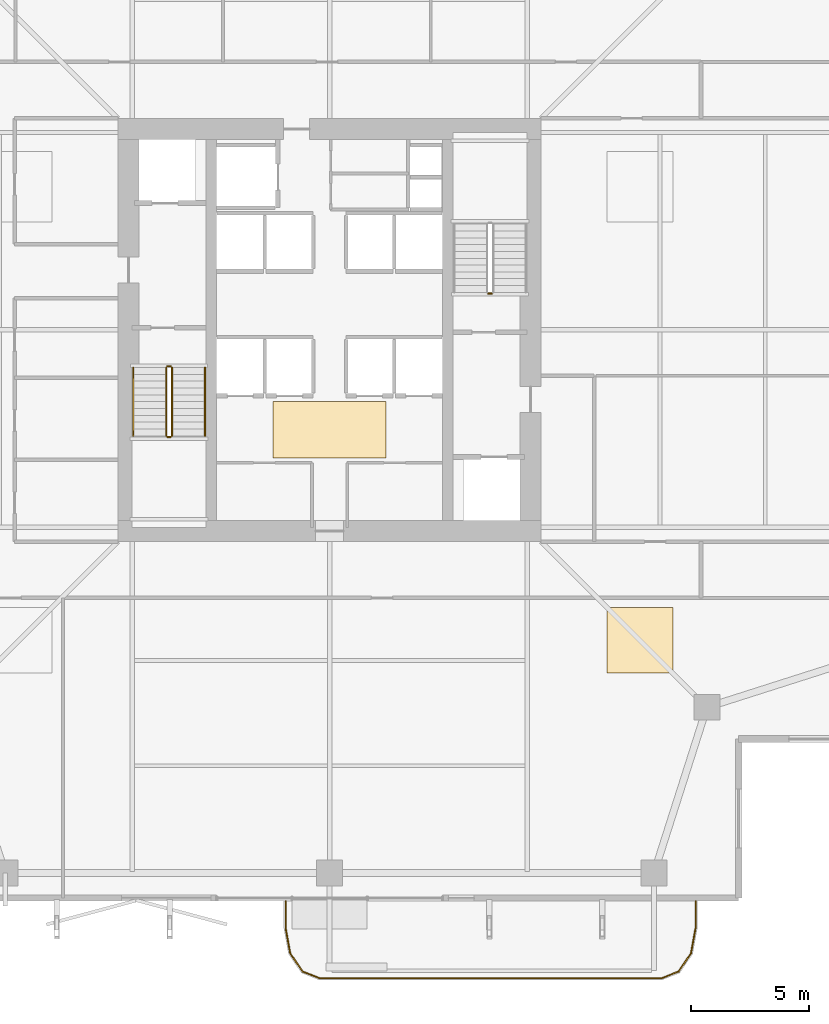
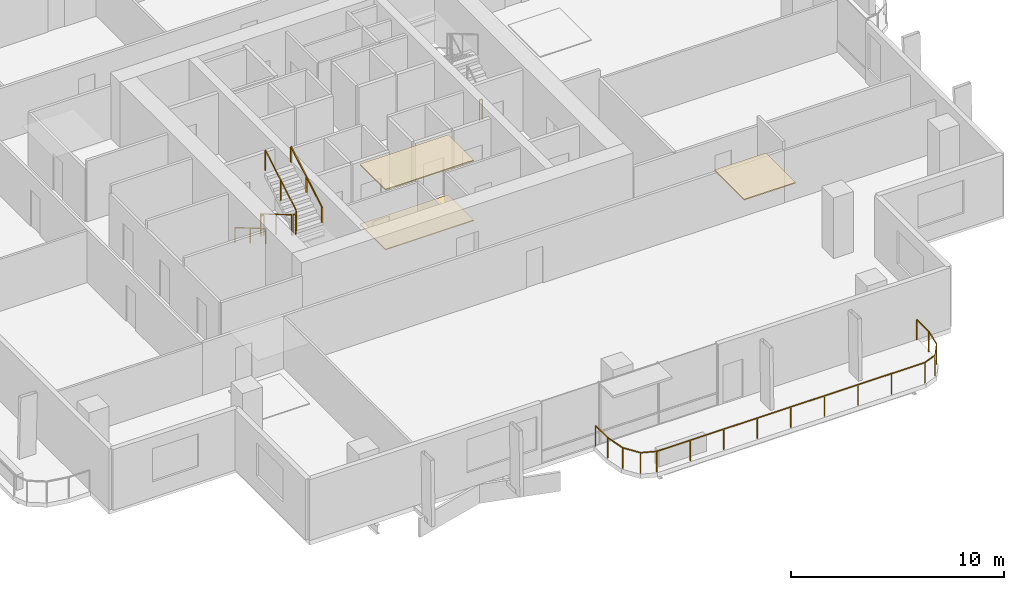
# One storey, part 23 of 25: 8 railings, 3 coverings.
"""IFC4 building model written with IfcOpenShell, lengths in metres."""

from ifc_helpers import new_model, si_unit, direction, frame, origin, origin_2d, place, context, subcontext, project, spatial, polyline, rectangle, outline, extrude, material, layer, layer_set, type_object, element, save


model = new_model("IFC4")

# Units and contexts
model_context = context("Model", 3, precision=1e-05, world=origin(), true_north=direction((0.0, 1.0)))
body_context = subcontext(model_context, "Body", "Model", "MODEL_VIEW")
ifc_project = project(units=[si_unit("LENGTHUNIT", "METRE"), si_unit("AREAUNIT", "SQUARE_METRE"), si_unit("VOLUMEUNIT", "CUBIC_METRE"), si_unit("PLANEANGLEUNIT", "RADIAN"), si_unit("MASSUNIT", "GRAM", prefix="KILO")], contexts=[model_context])

# Site, building, storey
site_placement = place(None, origin())
site = spatial("IfcSite", under=ifc_project, at=site_placement, CompositionType="ELEMENT")
building_placement = place(site_placement, origin())
building = spatial("IfcBuilding", under=site, at=building_placement, Name="Belovzor Exchange Tower", CompositionType="ELEMENT")
storey_placement = place(building_placement, frame((0.0, 0.0, 164.550048828125)))
storey = spatial("IfcBuildingStorey", under=building, at=storey_placement, Name="L40", CompositionType="ELEMENT", Elevation=164.550048828125)

# Railings
ifc_material_1 = material(Name="Stainless Steel Grade 304", Category="steel")
railing_type_1 = type_object("IfcRailingType", Name="Brushed Stainless Steel Stair Handrail 900", PredefinedType="HANDRAIL", material=ifc_material_1)
railing_1_placement = place(storey_placement, frame((20.449951171875, 27.199951171875, 0.17041015625)))
element("IfcRailing", 1, at=railing_1_placement, inside=storey, type_object=railing_type_1, Name="L40 ST-1 stair handrail 1", PredefinedType="HANDRAIL", context=body_context, shape_type="SweptSolid", body=[
    extrude(rectangle(XDim=0.048095703125, YDim=0.048095703125, at=origin_2d()), frame((0.0, 0.0, 0.8759765625), z_axis=(0.0, -0.86209462966, 0.506747323142), x_axis=(1.0, 0.0, 0.0)), (0.0, 0.0, 1.0), 3.36376953125),
    extrude(rectangle(XDim=0.0419921875, YDim=0.0419921875, at=origin_2d()), origin(), (0.0, 0.0, 1.0), 0.851806640625),
    extrude(rectangle(XDim=0.0419921875, YDim=0.0419921875, at=origin_2d()), frame((0.0, -1.449951171875, 0.852294921875)), (0.0, 0.0, 1.0), 0.851806640625),
    extrude(rectangle(XDim=0.0419921875, YDim=0.0419921875, at=origin_2d()), frame((0.0, -2.89990234375, 1.70458984375)), (0.0, 0.0, 1.0), 0.851806640625),
])
railing_2_placement = place(storey_placement, frame((23.5, 24.300048828125, 2.04541015625)))
element("IfcRailing", 2, at=railing_2_placement, inside=storey, type_object=railing_type_1, Name="L40 ST-1 stair handrail 2", PredefinedType="HANDRAIL", context=body_context, shape_type="SweptSolid", body=[
    extrude(rectangle(XDim=0.048095703125, YDim=0.048095703125, at=origin_2d()), frame((0.0, 0.0, 0.8759765625), z_axis=(0.0, 0.86209462966, 0.506747323142), x_axis=(-1.0, 0.0, 0.0)), (0.0, 0.0, 1.0), 3.36376953125),
    extrude(rectangle(XDim=0.0419921875, YDim=0.0419921875, at=origin_2d()), origin(), (0.0, 0.0, 1.0), 0.851806640625),
    extrude(rectangle(XDim=0.0419921875, YDim=0.0419921875, at=origin_2d()), frame((0.0, 1.449951171875, 0.852294921875)), (0.0, 0.0, 1.0), 0.851806640625),
    extrude(rectangle(XDim=0.0419921875, YDim=0.0419921875, at=origin_2d()), frame((0.0, 2.89990234375, 1.70458984375)), (0.0, 0.0, 1.0), 0.851806640625),
])
ifc_material_2 = material(Name="Stainless Steel and Laminated Safety Glass", Category="steel")
railing_type_2 = type_object("IfcRailingType", Name="Laminated Glass & Stainless Steel Balcony Balustrade 1200", PredefinedType="BALUSTRADE", material=ifc_material_2)
railing_3_placement = place(storey_placement, frame((26.929931640625, 4.489990234375, 0.0)))
element("IfcRailing", 3, at=railing_3_placement, inside=storey, type_object=railing_type_2, Name="GR-1 Balcony Balustrade L40 South", PredefinedType="BALUSTRADE", context=body_context, shape_type="SweptSolid", body=[
    extrude(rectangle(XDim=0.048095703125, YDim=0.048095703125, at=origin_2d()), frame((0.0, 0.0, 1.17578125), z_axis=(0.0, -1.0, 0.0), x_axis=(1.0, 0.0, 0.0)), (0.0, 0.0, 1.0), 1.133056640625),
    extrude(rectangle(XDim=0.048095703125, YDim=0.048095703125, at=origin_2d()), frame((0.0, -1.133056640625, 1.17578125), z_axis=(0.180122719713, -0.983644145941, 0.0), x_axis=(0.983644145941, 0.180122719713, 0.0)), (0.0, 0.0, 1.0), 1.09375),
    extrude(rectangle(XDim=0.048095703125, YDim=0.048095703125, at=origin_2d()), frame((0.197021484375, -2.208984375, 1.17578125), z_axis=(0.56294695933, -0.826493025367, 0.0), x_axis=(0.826493025367, 0.56294695933, 0.0)), (0.0, 0.0, 1.0), 0.932861328125),
    extrude(rectangle(XDim=0.048095703125, YDim=0.048095703125, at=origin_2d()), frame((0.72216796875, -2.97998046875, 1.17578125), z_axis=(0.930766990125, -0.365612923861, 0.0), x_axis=(0.365612923861, 0.930766990125, 0.0)), (0.0, 0.0, 1.0), 0.765869140625),
    extrude(rectangle(XDim=0.048095703125, YDim=0.048095703125, at=origin_2d()), frame((1.43505859375, -3.260009765625, 1.17578125), z_axis=(1.0, 0.0, 0.0), x_axis=(0.0, 1.0, 0.0)), (0.0, 0.0, 1.0), 14.570068359375),
    extrude(rectangle(XDim=0.048095703125, YDim=0.048095703125, at=origin_2d()), frame((16.005126953125, -3.260009765625, 1.17578125), z_axis=(0.930766990125, 0.365612923861, 0.0), x_axis=(-0.365612923861, 0.930766990125, 0.0)), (0.0, 0.0, 1.0), 0.765869140625),
    extrude(rectangle(XDim=0.048095703125, YDim=0.048095703125, at=origin_2d()), frame((16.718017578125, -2.97998046875, 1.17578125), z_axis=(0.56294695933, 0.826493025367, 0.0), x_axis=(-0.826493025367, 0.56294695933, 0.0)), (0.0, 0.0, 1.0), 0.932861328125),
    extrude(rectangle(XDim=0.048095703125, YDim=0.048095703125, at=origin_2d()), frame((17.2431640625, -2.208984375, 1.17578125), z_axis=(0.180122719713, 0.983644145941, 0.0), x_axis=(-0.983644145941, 0.180122719713, 0.0)), (0.0, 0.0, 1.0), 1.09375),
    extrude(rectangle(XDim=0.048095703125, YDim=0.048095703125, at=origin_2d()), frame((17.440185546875, -1.133056640625, 1.17578125), z_axis=(0.0, 1.0, 0.0), x_axis=(-1.0, 0.0, 0.0)), (0.0, 0.0, 1.0), 1.133056640625),
    extrude(rectangle(XDim=0.0419921875, YDim=0.0419921875, at=origin_2d()), origin(), (0.0, 0.0, 1.0), 1.15185546875),
    extrude(rectangle(XDim=0.0419921875, YDim=0.0419921875, at=origin_2d()), frame((0.0, -1.133056640625, 0.0)), (0.0, 0.0, 1.0), 1.15185546875),
    extrude(rectangle(XDim=0.0419921875, YDim=0.0419921875, at=origin_2d()), frame((0.197021484375, -2.208984375, 0.0)), (0.0, 0.0, 1.0), 1.15185546875),
    extrude(rectangle(XDim=0.0419921875, YDim=0.0419921875, at=origin_2d()), frame((0.72216796875, -2.97998046875, 0.0)), (0.0, 0.0, 1.0), 1.15185546875),
    extrude(rectangle(XDim=0.0419921875, YDim=0.0419921875, at=origin_2d()), frame((1.43505859375, -3.260009765625, 0.0)), (0.0, 0.0, 1.0), 1.15185546875),
    extrude(rectangle(XDim=0.0419921875, YDim=0.0419921875, at=origin_2d()), frame((3.25634765625, -3.260009765625, 0.0)), (0.0, 0.0, 1.0), 1.15185546875),
    extrude(rectangle(XDim=0.0419921875, YDim=0.0419921875, at=origin_2d()), frame((5.07763671875, -3.260009765625, 0.0)), (0.0, 0.0, 1.0), 1.15185546875),
    extrude(rectangle(XDim=0.0419921875, YDim=0.0419921875, at=origin_2d()), frame((6.89892578125, -3.260009765625, 0.0)), (0.0, 0.0, 1.0), 1.15185546875),
    extrude(rectangle(XDim=0.0419921875, YDim=0.0419921875, at=origin_2d()), frame((8.72021484375, -3.260009765625, 0.0)), (0.0, 0.0, 1.0), 1.15185546875),
    extrude(rectangle(XDim=0.0419921875, YDim=0.0419921875, at=origin_2d()), frame((10.541259765625, -3.260009765625, 0.0)), (0.0, 0.0, 1.0), 1.15185546875),
    extrude(rectangle(XDim=0.0419921875, YDim=0.0419921875, at=origin_2d()), frame((12.362548828125, -3.260009765625, 0.0)), (0.0, 0.0, 1.0), 1.15185546875),
    extrude(rectangle(XDim=0.0419921875, YDim=0.0419921875, at=origin_2d()), frame((14.183837890625, -3.260009765625, 0.0)), (0.0, 0.0, 1.0), 1.15185546875),
    extrude(rectangle(XDim=0.0419921875, YDim=0.0419921875, at=origin_2d()), frame((16.005126953125, -3.260009765625, 0.0)), (0.0, 0.0, 1.0), 1.15185546875),
    extrude(rectangle(XDim=0.0419921875, YDim=0.0419921875, at=origin_2d()), frame((16.718017578125, -2.97998046875, 0.0)), (0.0, 0.0, 1.0), 1.15185546875),
    extrude(rectangle(XDim=0.0419921875, YDim=0.0419921875, at=origin_2d()), frame((17.2431640625, -2.208984375, 0.0)), (0.0, 0.0, 1.0), 1.15185546875),
    extrude(rectangle(XDim=0.0419921875, YDim=0.0419921875, at=origin_2d()), frame((17.440185546875, -1.133056640625, 0.0)), (0.0, 0.0, 1.0), 1.15185546875),
    extrude(rectangle(XDim=0.0419921875, YDim=0.0419921875, at=origin_2d()), frame((17.440185546875, 0.0, 0.0)), (0.0, 0.0, 1.0), 1.15185546875),
])
ifc_material_3 = material(Name="Steel S355", Category="steel")
railing_type_3 = type_object("IfcRailingType", Name="Painted Steel Stairwell Guardrail 1200", PredefinedType="GUARDRAIL", material=ifc_material_3)
railing_4_placement = place(storey_placement, frame((21.85009765625, 27.199951171875, 0.17041015625)))
element("IfcRailing", 4, at=railing_4_placement, inside=storey, type_object=railing_type_3, Name="L40 ST-1 stair guard 1", PredefinedType="GUARDRAIL", context=body_context, shape_type="SweptSolid", body=[
    extrude(rectangle(XDim=0.048095703125, YDim=0.048095703125, at=origin_2d()), frame((0.0, 0.0, 1.17578125), z_axis=(0.0, -0.86209462966, 0.506747323142), x_axis=(1.0, 0.0, 0.0)), (0.0, 0.0, 1.0), 3.36376953125),
    extrude(rectangle(XDim=0.0419921875, YDim=0.0419921875, at=origin_2d()), origin(), (0.0, 0.0, 1.0), 1.15185546875),
    extrude(rectangle(XDim=0.0419921875, YDim=0.0419921875, at=origin_2d()), frame((0.0, -1.449951171875, 0.852294921875)), (0.0, 0.0, 1.0), 1.15185546875),
    extrude(rectangle(XDim=0.0419921875, YDim=0.0419921875, at=origin_2d()), frame((0.0, -2.89990234375, 1.70458984375)), (0.0, 0.0, 1.0), 1.15185546875),
])
railing_5_placement = place(storey_placement, frame((21.89990234375, 24.25, 1.875)))
element("IfcRailing", 5, at=railing_5_placement, inside=storey, type_object=railing_type_3, Name="L40 ST-1 stair guard 2", PredefinedType="GUARDRAIL", context=body_context, shape_type="SweptSolid", body=[
    extrude(rectangle(XDim=0.048095703125, YDim=0.048095703125, at=origin_2d()), frame((0.0, 0.0, 1.17578125), z_axis=(1.0, 0.0, 0.0), x_axis=(0.0, 1.0, 0.0)), (0.0, 0.0, 1.0), 0.150146484375),
    extrude(rectangle(XDim=0.0419921875, YDim=0.0419921875, at=origin_2d()), origin(), (0.0, 0.0, 1.0), 1.15185546875),
    extrude(rectangle(XDim=0.0419921875, YDim=0.0419921875, at=origin_2d()), frame((0.150146484375, 0.0, 0.0)), (0.0, 0.0, 1.0), 1.15185546875),
])
railing_6_placement = place(storey_placement, frame((22.10009765625, 24.300048828125, 2.04541015625)))
element("IfcRailing", 6, at=railing_6_placement, inside=storey, type_object=railing_type_3, Name="L40 ST-1 stair guard 3", PredefinedType="GUARDRAIL", context=body_context, shape_type="SweptSolid", body=[
    extrude(rectangle(XDim=0.048095703125, YDim=0.048095703125, at=origin_2d()), frame((0.0, 0.0, 1.17578125), z_axis=(0.0, 0.86209462966, 0.506747323142), x_axis=(-1.0, 0.0, 0.0)), (0.0, 0.0, 1.0), 3.36376953125),
    extrude(rectangle(XDim=0.0419921875, YDim=0.0419921875, at=origin_2d()), origin(), (0.0, 0.0, 1.0), 1.15185546875),
    extrude(rectangle(XDim=0.0419921875, YDim=0.0419921875, at=origin_2d()), frame((0.0, 1.449951171875, 0.852294921875)), (0.0, 0.0, 1.0), 1.15185546875),
    extrude(rectangle(XDim=0.0419921875, YDim=0.0419921875, at=origin_2d()), frame((0.0, 2.89990234375, 1.70458984375)), (0.0, 0.0, 1.0), 1.15185546875),
])
railing_7_placement = place(storey_placement, frame((21.89990234375, 27.25, 0.0)))
element("IfcRailing", 7, at=railing_7_placement, inside=storey, type_object=railing_type_3, Name="L40 ST-1 stair guard 4", PredefinedType="GUARDRAIL", context=body_context, shape_type="SweptSolid", body=[
    extrude(rectangle(XDim=0.048095703125, YDim=0.048095703125, at=origin_2d()), frame((0.0, 0.0, 1.17578125), z_axis=(1.0, 0.0, 0.0), x_axis=(0.0, 1.0, 0.0)), (0.0, 0.0, 1.0), 0.150146484375),
    extrude(rectangle(XDim=0.0419921875, YDim=0.0419921875, at=origin_2d()), origin(), (0.0, 0.0, 1.0), 1.15185546875),
    extrude(rectangle(XDim=0.0419921875, YDim=0.0419921875, at=origin_2d()), frame((0.150146484375, 0.0, 0.0)), (0.0, 0.0, 1.0), 1.15185546875),
])
railing_8_placement = place(storey_placement, frame((35.699951171875, 30.35009765625, 0.0)))
element("IfcRailing", 8, at=railing_8_placement, inside=storey, type_object=railing_type_3, Name="L40 ST-2 stair guard 4", PredefinedType="GUARDRAIL", context=body_context, shape_type="SweptSolid", body=[
    extrude(rectangle(XDim=0.048095703125, YDim=0.048095703125, at=origin_2d()), frame((0.0, 0.0, 1.17578125), z_axis=(-1.0, 0.0, 0.0), x_axis=(0.0, -1.0, 0.0)), (0.0, 0.0, 1.0), 0.14990234375),
    extrude(rectangle(XDim=0.0419921875, YDim=0.0419921875, at=origin_2d()), origin(), (0.0, 0.0, 1.0), 1.15185546875),
    extrude(rectangle(XDim=0.0419921875, YDim=0.0419921875, at=origin_2d()), frame((-0.14990234375, 0.0, 0.0)), (0.0, 0.0, 1.0), 1.15185546875),
])

# Coverings
ifc_material_4 = material(Name="Perforated Powder-Coated Aluminium", Category="aluminium")
ifc_layer_1 = layer(ifc_material_4, 0.06005859375)
ifc_layer_set_1 = layer_set([ifc_layer_1], Name="Perforated Powder-Coated Aluminium")
covering_type_1 = type_object("IfcCoveringType", Name="Perforated Acoustic Metal Tile Suspended Ceiling 60", PredefinedType="CEILING", material=ifc_layer_set_1)
covering_1_placement = place(storey_placement, frame((0.0, 0.0, 3.43505859375)))
element("IfcCovering", 9, at=covering_1_placement, inside=storey, type_object=covering_type_1, Name="CLG-AC60 Suspended Ceiling CLG-L40-LOB", PredefinedType="CEILING", context=body_context, shape_type="SweptSolid", body=[
    extrude(outline(polyline([(26.39990234375, 23.35009765625), (31.199951171875, 23.35009765625), (31.199951171875, 25.75), (26.39990234375, 25.75), (26.39990234375, 23.35009765625)])), origin(), (0.0, 0.0, 1.0), 0.059814453125),
])
covering_2_placement = place(storey_placement, frame((0.0, 0.0, 3.43505859375)))
element("IfcCovering", 10, at=covering_2_placement, inside=storey, type_object=covering_type_1, Name="CLG-AC60 Suspended Ceiling CLG-L40-Z1", PredefinedType="CEILING", context=body_context, shape_type="SweptSolid", body=[
    extrude(outline(polyline([(40.60009765625, 14.199951171875), (43.39990234375, 14.199951171875), (43.39990234375, 17.0), (40.60009765625, 17.0), (40.60009765625, 14.199951171875)])), origin(), (0.0, 0.0, 1.0), 0.059814453125),
])
ifc_material_5 = material(Name="Polished Natural Granite Tile", Category="masonry")
ifc_layer_2 = layer(ifc_material_5, 0.050048828125)
ifc_layer_set_2 = layer_set([ifc_layer_2], Name="Polished Natural Granite Tile")
covering_type_2 = type_object("IfcCoveringType", Name="Polished Karelian Granite & Raised Access Floor Finish 50", PredefinedType="FLOORING", material=ifc_layer_set_2)
covering_3_placement = place(storey_placement, origin())
element("IfcCovering", 11, at=covering_3_placement, inside=storey, type_object=covering_type_2, Name="FLR-GR50 Floor Finish FLR-L40-LOB", PredefinedType="FLOORING", context=body_context, shape_type="SweptSolid", body=[
    extrude(outline(polyline([(26.39990234375, 23.35009765625), (31.199951171875, 23.35009765625), (31.199951171875, 25.75), (26.39990234375, 25.75), (26.39990234375, 23.35009765625)])), origin(), (0.0, 0.0, 1.0), 0.050048828125),
])

save(model, "model.ifc")
